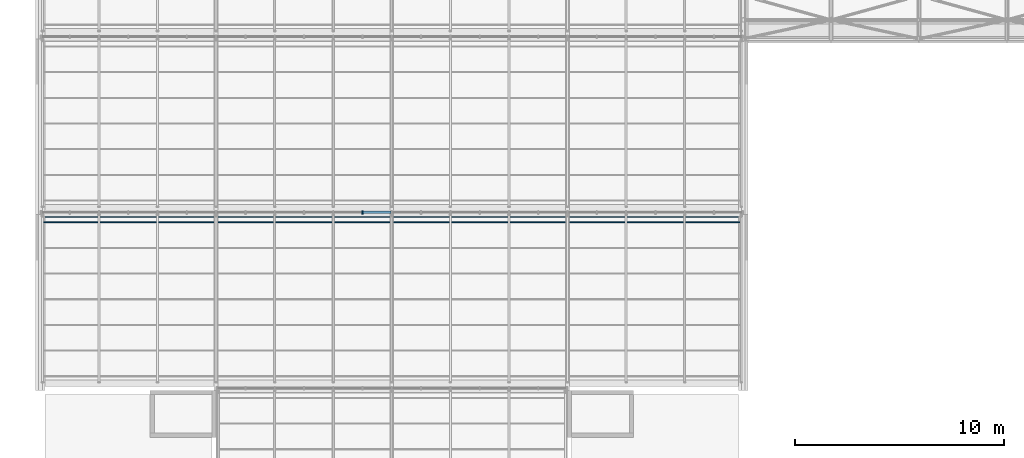
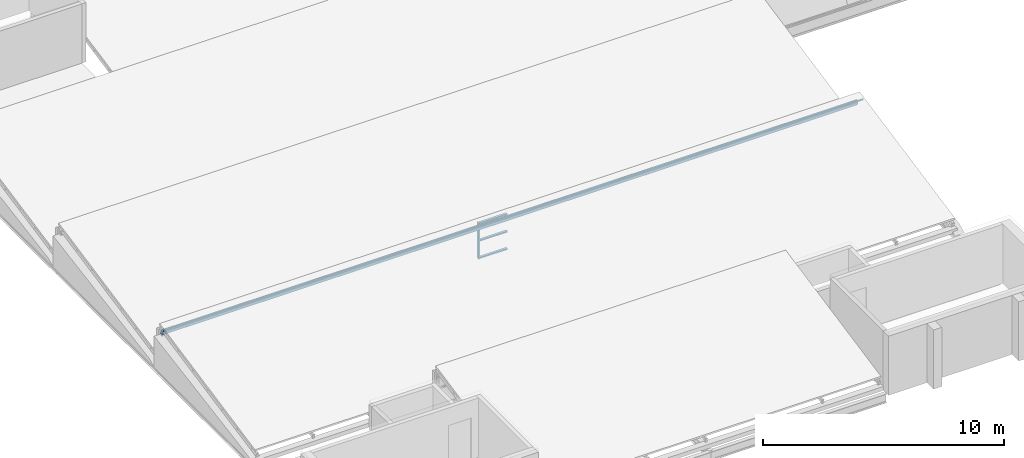
# One storey, part 17 of 121: 5 members, 1 beam, 1 element without a shape of its own.
"""IFC4 building model written with IfcOpenShell, lengths in metres."""

from ifc_helpers import new_model, si_unit, direction, frame, origin, origin_2d, place, context, subcontext, project, spatial, rectangle, hollow_rectangle, extrude, material, layer, layer_set, material_profile, profile_set, type_object, element, aggregate, save


model = new_model("IFC4")

# Units and contexts
model_context = context("Model", 3, precision=1e-05, world=origin(), true_north=direction((0.0, 1.0)))
body_context = subcontext(model_context, "Body", "Model", "MODEL_VIEW")
ifc_project = project(units=[si_unit("LENGTHUNIT", "METRE"), si_unit("AREAUNIT", "SQUARE_METRE"), si_unit("VOLUMEUNIT", "CUBIC_METRE"), si_unit("PLANEANGLEUNIT", "RADIAN"), si_unit("MASSUNIT", "GRAM", prefix="KILO")], contexts=[model_context])

# Site, building, storey
site_placement = place(None, origin())
site = spatial("IfcSite", under=ifc_project, at=site_placement, CompositionType="ELEMENT")
building_placement = place(site_placement, origin())
building = spatial("IfcBuilding", under=site, at=building_placement, Name="Ardhachandra Cancer Care Centre", CompositionType="ELEMENT")
storey_placement = place(building_placement, frame((0.0, 0.0, 9.0)))
storey = spatial("IfcBuildingStorey", under=building, at=storey_placement, Name="L02", CompositionType="ELEMENT", Elevation=9.0)

# Curtain wall, members
ifc_material_1 = material(Name="Aluminium extrusion", Category="aluminium")
ifc_layer = layer(ifc_material_1, 0.14990234375)
ifc_layer_set = layer_set([ifc_layer], Name="Aluminium extrusion")
curtain_wall_type = type_object("IfcCurtainWallType", Name="Curtain wall run", PredefinedType="NOTDEFINED", material=ifc_layer_set)
curtain_wall_placement = place(storey_placement, origin())
curtain_wall = element("IfcCurtainWall", 1, at=curtain_wall_placement, inside=storey, type_object=curtain_wall_type, Name="Curtain wall L02 n/0010800_0046300", PredefinedType="NOTDEFINED")
ifc_material_2 = material(Name="Aluminium extrusion", Category="aluminium")
ifc_material_profile_1 = material_profile(ifc_material_2, rectangle(XDim=0.159912109375, YDim=0.06005859375, at=origin_2d()), Name="Curtain wall mullion 60 x 160")
ifc_profile_set_1 = profile_set([ifc_material_profile_1], Name="Aluminium extrusion")
member_type_1 = type_object("IfcMemberType", Name="Curtain wall mullion 60 x 160", PredefinedType="MULLION", material=ifc_profile_set_1)
member_1_placement = place(storey_placement, frame((26.199951171875, 46.300048828125, 0.0), z_axis=(0.0, 0.0, 1.0), x_axis=(0.0, 1.0, 0.0)))
member_1 = element("IfcMember", 2, at=member_1_placement, type_object=member_type_1, Name="CW mullion 12", PredefinedType="MULLION", context=body_context, shape_type="SweptSolid", body=[
    extrude(rectangle(XDim=0.159912109375, YDim=0.06005859375, at=origin_2d()), origin(), (0.0, 0.0, 1.0), 1.820068359375),
])
ifc_material_3 = material(Name="Aluminium extrusion", Category="aluminium")
ifc_material_profile_2 = material_profile(ifc_material_3, rectangle(XDim=0.1201171875, YDim=0.06005859375, at=origin_2d()), Name="Curtain wall transom 60 x 120")
ifc_profile_set_2 = profile_set([ifc_material_profile_2], Name="Aluminium extrusion")
member_type_2 = type_object("IfcMemberType", Name="Curtain wall transom 60 x 120", PredefinedType="USERDEFINED", material=ifc_profile_set_2)
member_2_placement = place(storey_placement, frame((26.22998046875, 46.300048828125, 0.030029296875), z_axis=(1.0, 0.0, 0.0), x_axis=(0.0, 1.0, 0.0)))
member_2 = element("IfcMember", 3, at=member_2_placement, type_object=member_type_2, Name="CW transom 12.1", ObjectType="TRANSOM", PredefinedType="USERDEFINED", context=body_context, shape_type="SweptSolid", body=[
    extrude(rectangle(XDim=0.1201171875, YDim=0.06005859375, at=origin_2d()), origin(), (0.0, 0.0, 1.0), 1.340087890625),
])
member_3_placement = place(storey_placement, frame((26.22998046875, 46.300048828125, 0.909912109375), z_axis=(1.0, 0.0, 0.0), x_axis=(0.0, 1.0, 0.0)))
member_3 = element("IfcMember", 4, at=member_3_placement, type_object=member_type_2, Name="CW transom 12.2", ObjectType="TRANSOM", PredefinedType="USERDEFINED", context=body_context, shape_type="SweptSolid", body=[
    extrude(rectangle(XDim=0.1201171875, YDim=0.06005859375, at=origin_2d()), origin(), (0.0, 0.0, 1.0), 1.340087890625),
])
member_4_placement = place(storey_placement, frame((26.22998046875, 46.300048828125, 1.7900390625), z_axis=(1.0, 0.0, 0.0), x_axis=(0.0, 1.0, 0.0)))
member_4 = element("IfcMember", 5, at=member_4_placement, type_object=member_type_2, Name="CW transom 12.3", ObjectType="TRANSOM", PredefinedType="USERDEFINED", context=body_context, shape_type="SweptSolid", body=[
    extrude(rectangle(XDim=0.1201171875, YDim=0.06005859375, at=origin_2d()), origin(), (0.0, 0.0, 1.0), 1.340087890625),
])
aggregate(curtain_wall, [member_1, member_2, member_3, member_4])

# Member
ifc_material_4 = material(Name="Steel E350 (IS 2062)", Category="steel")
ifc_material_profile_3 = material_profile(ifc_material_4, hollow_rectangle(XDim=0.0400390625, YDim=0.080078125, WallThickness=0.00390625, InnerFilletRadius=0.00390625, OuterFilletRadius=0.008056640625, at=origin_2d()), Name="RHS 80x40x4.0")
ifc_profile_set_3 = profile_set([ifc_material_profile_3], Name="Steel E350 (IS 2062)")
member_type_3 = type_object("IfcMemberType", Name="Roof purlin RHS 80x40x4.0", PredefinedType="PURLIN", material=ifc_profile_set_3)
member_5_placement = place(storey_placement, frame((10.800048828125, 45.832275390625, 1.990478515625), z_axis=(1.0, 0.0, 0.0), x_axis=(0.0, 0.980106641092, 0.198471590126)))
element("IfcMember", 6, at=member_5_placement, inside=storey, type_object=member_type_3, Name="Purlin T2a.7", PredefinedType="PURLIN", context=body_context, shape_type="SweptSolid", body=[
    extrude(hollow_rectangle(XDim=0.0400390625, YDim=0.080078125, WallThickness=0.00390625, InnerFilletRadius=0.00390625, OuterFilletRadius=0.008056640625, at=origin_2d()), origin(), (0.0, 0.0, 1.0), 33.599853515625),
])

# Beam
ifc_material_5 = material(Name="Steel E350 (IS 2062)", Category="steel")
ifc_material_profile_4 = material_profile(ifc_material_5, hollow_rectangle(XDim=0.1201171875, YDim=0.239990234375, WallThickness=0.006103515625, InnerFilletRadius=0.006103515625, OuterFilletRadius=0.011962890625, at=origin_2d()), Name="RHS 240x120x6.0")
ifc_profile_set_4 = profile_set([ifc_material_profile_4], Name="Steel E350 (IS 2062)")
beam_type = type_object("IfcBeamType", Name="Sawtooth ridge beam RHS 240x120x6.0", PredefinedType="BEAM", material=ifc_profile_set_4)
beam_placement = place(storey_placement, frame((10.89990234375, 46.14990234375, 1.6875), z_axis=(1.0, 0.0, 0.0), x_axis=(0.0, 0.980106641092, 0.198471590126)))
element("IfcBeam", 7, at=beam_placement, inside=storey, type_object=beam_type, Name="Ridge beam T2a", PredefinedType="BEAM", context=body_context, shape_type="SweptSolid", body=[
    extrude(hollow_rectangle(XDim=0.1201171875, YDim=0.239990234375, WallThickness=0.006103515625, InnerFilletRadius=0.006103515625, OuterFilletRadius=0.011962890625, at=origin_2d()), origin(), (0.0, 0.0, 1.0), 33.400146484375),
])

save(model, "model.ifc")
